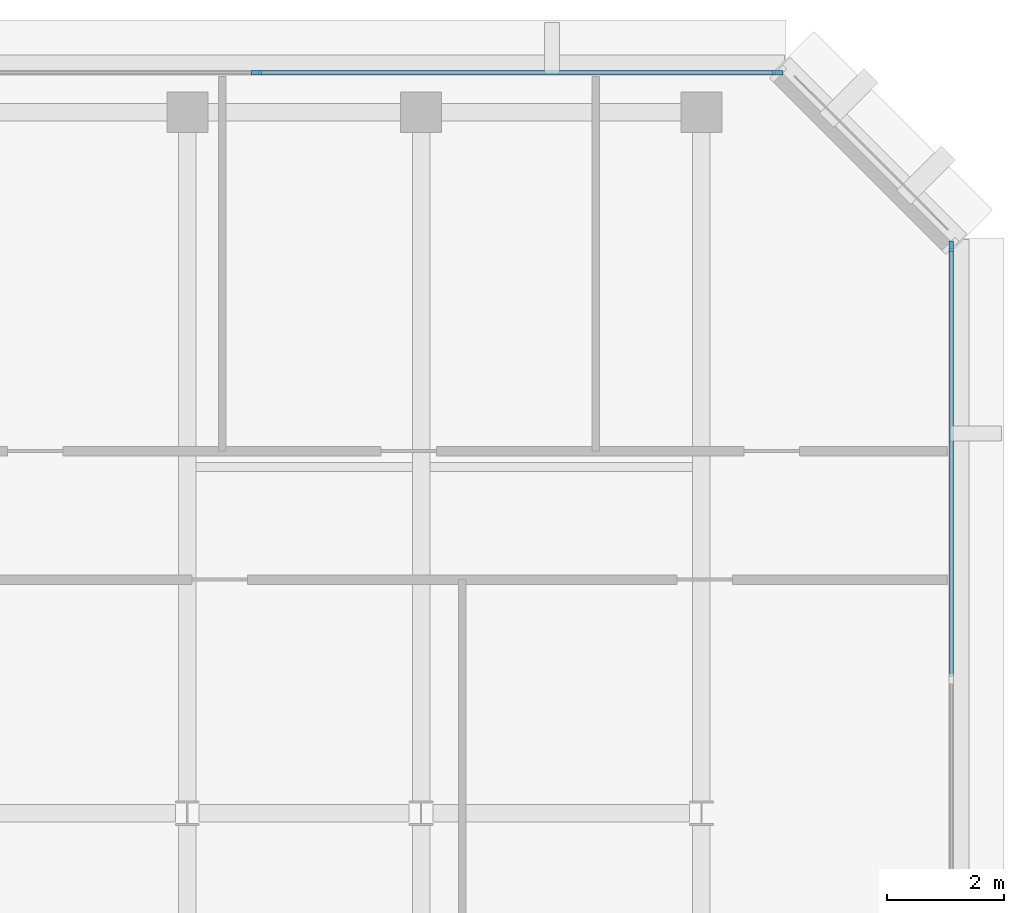
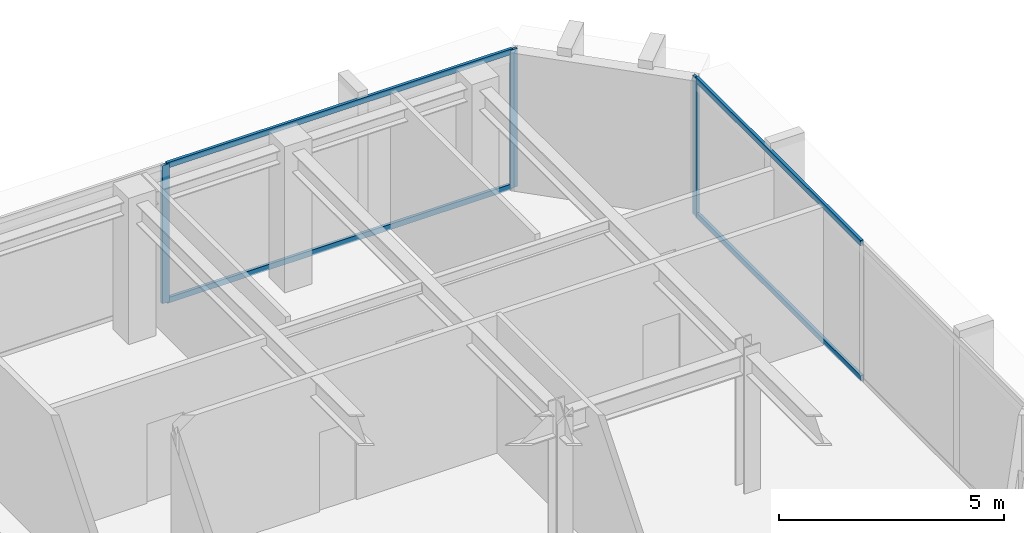
# One storey, part 5 of 13: 7 members, 2 elements without a shape of their own.
"""IFC4 building model written with IfcOpenShell, lengths in metres."""

from ifc_helpers import new_model, si_unit, direction, frame, origin, origin_2d, place, context, subcontext, project, spatial, rectangle, extrude, material, layer, layer_set, material_profile, profile_set, type_object, element, aggregate, save


model = new_model("IFC4")

# Units and contexts
model_context = context("Model", 3, precision=1e-05, world=origin(), true_north=direction((0.0, 1.0)))
body_context = subcontext(model_context, "Body", "Model", "MODEL_VIEW")
ifc_project = project(units=[si_unit("LENGTHUNIT", "METRE"), si_unit("AREAUNIT", "SQUARE_METRE"), si_unit("VOLUMEUNIT", "CUBIC_METRE"), si_unit("PLANEANGLEUNIT", "RADIAN"), si_unit("MASSUNIT", "GRAM", prefix="KILO")], contexts=[model_context])

# Site, building, storey
site_placement = place(None, origin())
site = spatial("IfcSite", under=ifc_project, at=site_placement, CompositionType="ELEMENT")
building_placement = place(site_placement, origin())
building = spatial("IfcBuilding", under=site, at=building_placement, Name="Kefirva Bronze Tower", CompositionType="ELEMENT")
storey_placement = place(building_placement, frame((0.0, 0.0, 311.85009765625)))
storey = spatial("IfcBuildingStorey", under=building, at=storey_placement, Name="L76", CompositionType="ELEMENT", Elevation=311.85009765625)

# Curtain wall, member
ifc_material = material(Name="Bronze anodised aluminium", Category="aluminium")
ifc_layer = layer(ifc_material, 0.179931640625, Name="Bronze anodised aluminium")
ifc_layer_set = layer_set([ifc_layer], Name="Bronze anodised aluminium")
curtain_wall_type = type_object("IfcCurtainWallType", Name="Unitised Bronze Ribbon Curtain Wall Zone 4", PredefinedType="USERDEFINED", material=ifc_layer_set)
curtain_wall_1_placement = place(storey_placement, origin())
curtain_wall_1 = element("IfcCurtainWall", 1, at=curtain_wall_1_placement, inside=storey, type_object=curtain_wall_type, Name="L76 Curtain Wall 2", ObjectType="UNITISED CURTAIN WALL", PredefinedType="USERDEFINED")
ifc_material_profile_1 = material_profile(ifc_material, rectangle(XDim=0.074951171875, YDim=0.179931640625, at=origin_2d()), Name="ALU 75x180")
ifc_profile_set_1 = profile_set([ifc_material_profile_1], Name="Bronze anodised aluminium")
member_type_1 = type_object("IfcMemberType", Name="Bronze Mullion 75x180", PredefinedType="MULLION", material=ifc_profile_set_1)
member_1_placement = place(storey_placement, frame((44.280029296875, 42.907470703125, 0.0), z_axis=(0.0, 0.0, 1.0), x_axis=(-1.0, 0.0, 0.0)))
member_1 = element("IfcMember", 2, at=member_1_placement, type_object=member_type_1, Name="CW-04 mullion 3", PredefinedType="MULLION", context=body_context, shape_type="SweptSolid", body=[
    extrude(rectangle(XDim=0.074951171875, YDim=0.179931640625, at=origin_2d()), origin(), (0.0, 0.0, 1.0), 3.739990234375),
])

# Curtain wall, members
curtain_wall_2_placement = place(storey_placement, origin())
curtain_wall_2 = element("IfcCurtainWall", 3, at=curtain_wall_2_placement, inside=storey, type_object=curtain_wall_type, Name="L76 Curtain Wall 3", ObjectType="UNITISED CURTAIN WALL", PredefinedType="USERDEFINED")
member_2_placement = place(storey_placement, frame((41.3076171875, 45.8798828125, 0.0), z_axis=(0.0, 0.0, 1.0), x_axis=(0.0, -1.0, 0.0)))
member_2 = element("IfcMember", 4, at=member_2_placement, type_object=member_type_1, Name="CW-04 mullion 1", PredefinedType="MULLION", context=body_context, shape_type="SweptSolid", body=[
    extrude(rectangle(XDim=0.074951171875, YDim=0.179931640625, at=origin_2d()), origin(), (0.0, 0.0, 1.0), 3.739990234375),
])
member_3_placement = place(storey_placement, frame((32.375, 45.8798828125, 0.0), z_axis=(0.0, 0.0, 1.0), x_axis=(0.0, -1.0, 0.0)))
member_3 = element("IfcMember", 5, at=member_3_placement, type_object=member_type_1, Name="CW-04 mullion 2", PredefinedType="MULLION", context=body_context, shape_type="SweptSolid", body=[
    extrude(rectangle(XDim=0.074951171875, YDim=0.179931640625, at=origin_2d()), origin(), (0.0, 0.0, 1.0), 3.739990234375),
])

# Member
ifc_material_profile_2 = material_profile(ifc_material, rectangle(XDim=0.074951171875, YDim=0.14990234375, at=origin_2d()), Name="ALU 75x150")
ifc_profile_set_2 = profile_set([ifc_material_profile_2], Name="Bronze anodised aluminium")
member_type_2 = type_object("IfcMemberType", Name="Bronze Transom 75x150", PredefinedType="USERDEFINED", material=ifc_profile_set_2)
member_4_placement = place(storey_placement, frame((44.280029296875, 35.53759765625, 0.037353515625), z_axis=(0.0, 1.0, 0.0), x_axis=(-1.0, 0.0, 0.0)))
member_4 = element("IfcMember", 6, at=member_4_placement, type_object=member_type_2, Name="CW-04 transom 2.1", ObjectType="TRANSOM", PredefinedType="USERDEFINED", context=body_context, shape_type="SweptSolid", body=[
    extrude(rectangle(XDim=0.074951171875, YDim=0.14990234375, at=origin_2d()), origin(), (0.0, 0.0, 1.0), 7.33251953125),
])

member_5_placement = place(storey_placement, frame((44.280029296875, 35.53759765625, 3.702392578125), z_axis=(0.0, 1.0, 0.0), x_axis=(-1.0, 0.0, 0.0)))
member_5 = element("IfcMember", 7, at=member_5_placement, type_object=member_type_2, Name="CW-04 transom 2.2", ObjectType="TRANSOM", PredefinedType="USERDEFINED", context=body_context, shape_type="SweptSolid", body=[
    extrude(rectangle(XDim=0.074951171875, YDim=0.14990234375, at=origin_2d()), origin(), (0.0, 0.0, 1.0), 7.33251953125),
])

aggregate(curtain_wall_1, [member_1, member_4, member_5])

member_6_placement = place(storey_placement, frame((41.27001953125, 45.8798828125, 0.037353515625), z_axis=(-1.0, 0.0, 0.0), x_axis=(0.0, -1.0, 0.0)))
member_6 = element("IfcMember", 8, at=member_6_placement, type_object=member_type_2, Name="CW-04 transom 1.1", ObjectType="TRANSOM", PredefinedType="USERDEFINED", context=body_context, shape_type="SweptSolid", body=[
    extrude(rectangle(XDim=0.074951171875, YDim=0.14990234375, at=origin_2d()), origin(), (0.0, 0.0, 1.0), 8.857421875),
])

member_7_placement = place(storey_placement, frame((41.27001953125, 45.8798828125, 3.702392578125), z_axis=(-1.0, 0.0, 0.0), x_axis=(0.0, -1.0, 0.0)))
member_7 = element("IfcMember", 9, at=member_7_placement, type_object=member_type_2, Name="CW-04 transom 1.2", ObjectType="TRANSOM", PredefinedType="USERDEFINED", context=body_context, shape_type="SweptSolid", body=[
    extrude(rectangle(XDim=0.074951171875, YDim=0.14990234375, at=origin_2d()), origin(), (0.0, 0.0, 1.0), 8.857421875),
])

aggregate(curtain_wall_2, [member_2, member_3, member_6, member_7])

save(model, "model.ifc")
